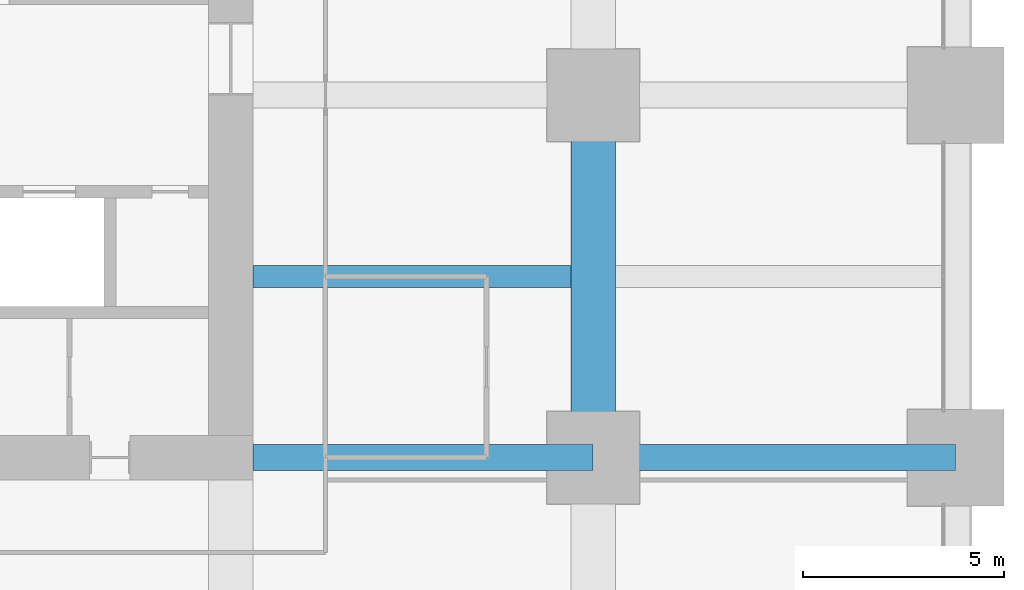
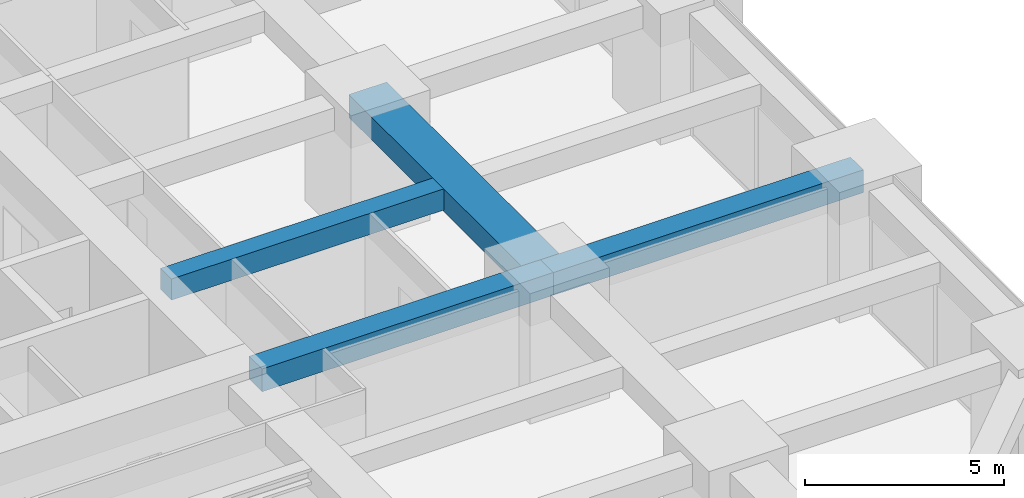
# One storey, part 19 of 45: 4 beams.
"""IFC4 building model written with IfcOpenShell, lengths in metres."""

from ifc_helpers import new_model, si_unit, direction, frame, origin, origin_2d, place, context, subcontext, project, spatial, rectangle, extrude, material, material_profile, profile_set, type_object, element, save


model = new_model("IFC4")

# Units and contexts
model_context = context("Model", 3, precision=1e-05, world=origin(), true_north=direction((0.0, 1.0)))
body_context = subcontext(model_context, "Body", "Model", "MODEL_VIEW")
ifc_project = project(units=[si_unit("LENGTHUNIT", "METRE"), si_unit("AREAUNIT", "SQUARE_METRE"), si_unit("VOLUMEUNIT", "CUBIC_METRE"), si_unit("PLANEANGLEUNIT", "RADIAN"), si_unit("MASSUNIT", "GRAM", prefix="KILO")], contexts=[model_context])

# Site, building, storey
site_placement = place(None, origin())
site = spatial("IfcSite", under=ifc_project, at=site_placement, CompositionType="ELEMENT")
building_placement = place(site_placement, origin())
building = spatial("IfcBuilding", under=site, at=building_placement, Name="Zorevar Civic Tower", CompositionType="ELEMENT")
storey_placement = place(building_placement, frame((0.0, 0.0, 47.800048828125)))
storey = spatial("IfcBuildingStorey", under=building, at=storey_placement, Name="L11", CompositionType="ELEMENT", Elevation=47.800048828125)

# Beams
ifc_material_1 = material(Name="Concrete C50/60", Category="concrete")
ifc_material_profile_1 = material_profile(ifc_material_1, rectangle(XDim=1.10009765625, YDim=0.699951171875, at=origin_2d()), Name="RC 1100x700")
ifc_profile_set_1 = profile_set([ifc_material_profile_1], Name="Concrete C50/60")
beam_type_1 = type_object("IfcBeamType", Name="Beam RC 1100x700", PredefinedType="BEAM", material=ifc_profile_set_1)
beam_1_placement = place(storey_placement, frame((54.0, 18.0, 3.39990234375), z_axis=(0.0, 1.0, 0.0), x_axis=(-1.0, 0.0, 0.0)))
element("IfcBeam", 1, at=beam_1_placement, inside=storey, type_object=beam_type_1, Name="Girder L12", PredefinedType="BEAM", context=body_context, shape_type="SweptSolid", body=[
    extrude(rectangle(XDim=1.10009765625, YDim=0.699951171875, at=origin_2d()), origin(), (0.0, 0.0, 1.0), 9.0),
])
ifc_material_2 = material(Name="Concrete C50/60", Category="concrete")
ifc_material_profile_2 = material_profile(ifc_material_2, rectangle(XDim=0.550048828125, YDim=0.64990234375, at=origin_2d()), Name="RC 550x650")
ifc_profile_set_2 = profile_set([ifc_material_profile_2], Name="Concrete C50/60")
beam_type_2 = type_object("IfcBeamType", Name="Beam RC 550x650", PredefinedType="BEAM", material=ifc_profile_set_2)
beam_2_placement = place(storey_placement, frame((45.550048828125, 22.5, 3.425048828125), z_axis=(1.0, 0.0, 0.0), x_axis=(0.0, 1.0, 0.0)))
element("IfcBeam", 2, at=beam_2_placement, inside=storey, type_object=beam_type_2, Name="Secondary beam L12", PredefinedType="BEAM", context=body_context, shape_type="SweptSolid", body=[
    extrude(rectangle(XDim=0.550048828125, YDim=0.64990234375, at=origin_2d()), origin(), (0.0, 0.0, 1.0), 7.89990234375),
])
ifc_material_3 = material(Name="Concrete C50/60", Category="concrete")
ifc_material_profile_3 = material_profile(ifc_material_3, rectangle(XDim=0.64990234375, YDim=0.699951171875, at=origin_2d()), Name="RC 650x700")
ifc_profile_set_3 = profile_set([ifc_material_profile_3], Name="Concrete C50/60")
beam_type_3 = type_object("IfcBeamType", Name="Beam RC 650x700", PredefinedType="BEAM", material=ifc_profile_set_3)
beam_3_placement = place(storey_placement, frame((45.550048828125, 18.0, 3.39990234375), z_axis=(1.0, 0.0, 0.0), x_axis=(0.0, 1.0, 0.0)))
element("IfcBeam", 3, at=beam_3_placement, inside=storey, type_object=beam_type_3, Name="Girder L12", PredefinedType="BEAM", context=body_context, shape_type="SweptSolid", body=[
    extrude(rectangle(XDim=0.64990234375, YDim=0.699951171875, at=origin_2d()), origin(), (0.0, 0.0, 1.0), 8.449951171875),
])
beam_4_placement = place(storey_placement, frame((54.0, 18.0, 3.39990234375), z_axis=(1.0, 0.0, 0.0), x_axis=(0.0, 1.0, 0.0)))
element("IfcBeam", 4, at=beam_4_placement, inside=storey, type_object=beam_type_3, Name="Girder L12", PredefinedType="BEAM", context=body_context, shape_type="SweptSolid", body=[
    extrude(rectangle(XDim=0.64990234375, YDim=0.699951171875, at=origin_2d()), origin(), (0.0, 0.0, 1.0), 9.0),
])

save(model, "model.ifc")
